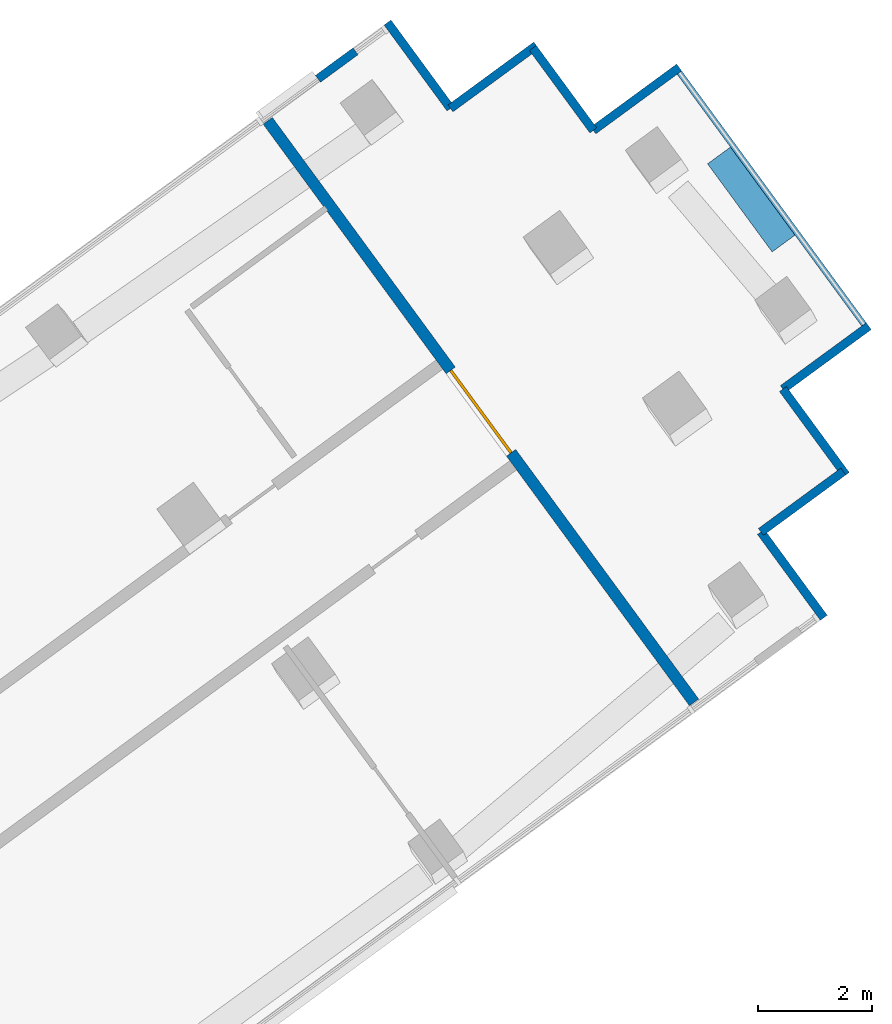
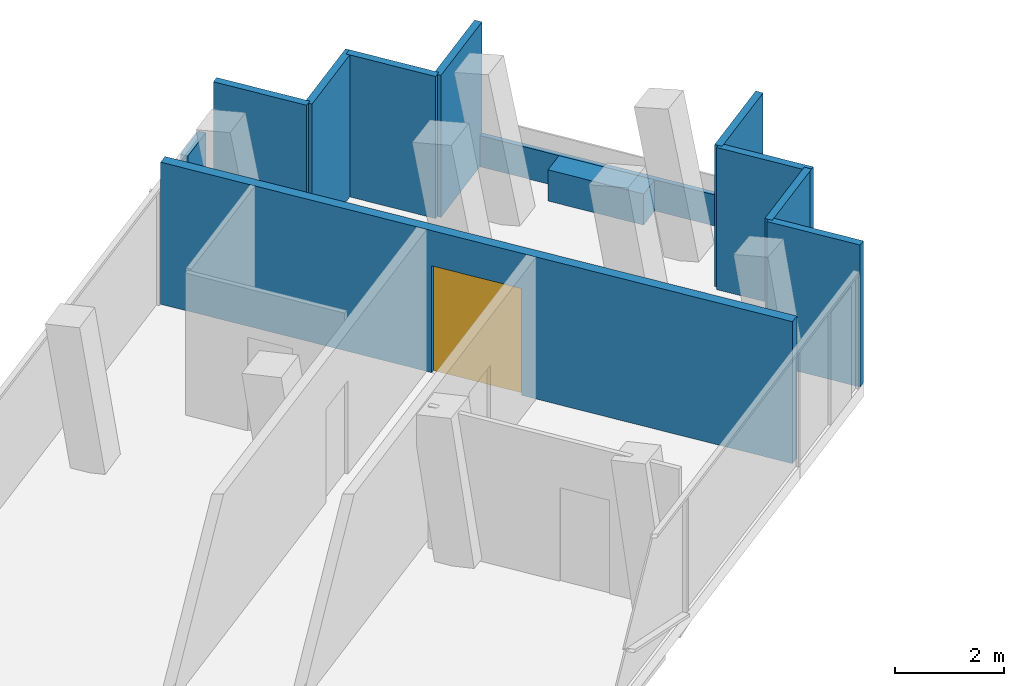
# One storey, part 21 of 24: 12 walls, 1 door, 1 opening.
"""IFC4 building model written with IfcOpenShell, lengths in metres."""

from ifc_helpers import new_model, si_unit, direction, frame, frame_2d, origin, place, context, subcontext, project, spatial, rectangle, extrude, material, layer, layer_set, type_object, element, fill, save


model = new_model("IFC4")

# Units and contexts
model_context = context("Model", 3, precision=1e-05, world=origin(), true_north=direction((0.0, 1.0)))
body_context = subcontext(model_context, "Body", "Model", "MODEL_VIEW")
ifc_project = project(units=[si_unit("LENGTHUNIT", "METRE"), si_unit("AREAUNIT", "SQUARE_METRE"), si_unit("VOLUMEUNIT", "CUBIC_METRE"), si_unit("PLANEANGLEUNIT", "RADIAN"), si_unit("MASSUNIT", "GRAM", prefix="KILO")], contexts=[model_context])

# Site, building, storey
site_placement = place(None, origin())
site = spatial("IfcSite", under=ifc_project, at=site_placement, CompositionType="ELEMENT")
building_placement = place(site_placement, origin())
building = spatial("IfcBuilding", under=site, at=building_placement, Name="Verdalira Terraces Hotel", CompositionType="ELEMENT")
storey_placement = place(building_placement, frame((0.0, 0.0, 303.0)))
storey = spatial("IfcBuildingStorey", under=building, at=storey_placement, Name="L75", CompositionType="ELEMENT", Elevation=303.0)

# Wall, opening, door
ifc_material_1 = material(Name="Terracotta cladding", Category="masonry")
ifc_layer_1 = layer(ifc_material_1, 0.199951171875)
ifc_layer_set_1 = layer_set([ifc_layer_1], Name="Loggia back wall 200")
wall_type_1 = type_object("IfcWallType", Name="Loggia back wall 200", PredefinedType="SOLIDWALL", material=ifc_layer_set_1)
wall_1_placement = place(storey_placement, frame((26.494385, 27.29248, 0.0), z_axis=(0.0, 0.0, 1.0), x_axis=(0.59117947, -0.806540039, 0.0)))
wall_1 = element("IfcWall", 1, at=wall_1_placement, inside=storey, type_object=wall_type_1, Name="Loggia back wall", PredefinedType="SOLIDWALL", context=body_context, shape_type="SweptSolid", body=[
    extrude(rectangle(XDim=12.700195, YDim=0.199951, at=frame_2d((6.350098, 0.0))), origin(), (0.0, 0.0, 1.0), 3.189941),
])
opening_placement = place(wall_1_placement, frame((5.449951, 0.0, 0.0)))
opening = element("IfcOpeningElement", 2, at=opening_placement, cuts=wall_1, Name="Opening L75-L01", PredefinedType="OPENING", context=body_context, shape_type="SweptSolid", body=[
    extrude(rectangle(XDim=1.800049, YDim=2.399902, at=frame_2d((0.899902, 1.199951))), frame((0.0, 0.109863, 0.0), z_axis=(0.0, -1.0, 0.0), x_axis=(1.0, 0.0, 0.0)), (0.0, 0.0, 1.0), 0.219971),
])
ifc_material_2 = material(Name="Clear glass", Category="glass")
door_type = type_object("IfcDoorType", Name="Garden double door 1800x2400", OperationType="NOTDEFINED", PredefinedType="DOOR", material=ifc_material_2)
door_placement = place(opening_placement, origin())
door = element("IfcDoor", 3, at=door_placement, inside=storey, type_object=door_type, Name="Loggia double door", OperationType="DOUBLE_DOOR_SINGLE_SWING", OverallHeight=2.39990234375, OverallWidth=1.800048828125, PredefinedType="DOOR", context=body_context, shape_type="SweptSolid", body=[
    extrude(rectangle(XDim=1.800049, YDim=2.399902, at=frame_2d((0.899902, 1.199951))), frame((0.0, 0.024902, 0.0), z_axis=(0.0, -1.0, 0.0), x_axis=(1.0, 0.0, 0.0)), (0.0, 0.0, 1.0), 0.050049),
])
fill(opening, door)

# Walls
ifc_material_3 = material(Name="Concrete C40", Category="concrete")
ifc_layer_2 = layer(ifc_material_3, 0.5)
ifc_layer_set_2 = layer_set([ifc_layer_2], Name="Loggia planter trough with tree")
wall_type_2 = type_object("IfcWallType", Name="Loggia planter trough with tree", PredefinedType="SOLIDWALL", material=ifc_layer_set_2)
wall_2_placement = place(storey_placement, frame((35.57959, 25.131348, 0.0), z_axis=(0.0, 0.0, 1.0), x_axis=(-0.591110564, 0.806590541, 0.0)))
element("IfcWall", 4, at=wall_2_placement, inside=storey, type_object=wall_type_2, Name="Loggia planter", PredefinedType="SOLIDWALL", context=body_context, shape_type="SweptSolid", body=[
    extrude(rectangle(XDim=1.923828, YDim=0.5, at=frame_2d((0.961914, 0.0))), origin(), (0.0, 0.0, 1.0), 0.699951),
])
ifc_material_4 = material(Name="Concrete C40", Category="concrete")
ifc_layer_3 = layer(ifc_material_4, 0.10009765625)
ifc_layer_set_3 = layer_set([ifc_layer_3], Name="Loggia upstand 100")
wall_type_3 = type_object("IfcWallType", Name="Loggia upstand 100", PredefinedType="SOLIDWALL", material=ifc_layer_set_3)
wall_3_placement = place(storey_placement, frame((36.995605, 23.706787, 0.0), z_axis=(0.0, 0.0, 1.0), x_axis=(-0.591142333, 0.806567259, 0.0)))
element("IfcWall", 5, at=wall_3_placement, inside=storey, type_object=wall_type_3, Name="Loggia upstand", PredefinedType="SOLIDWALL", context=body_context, shape_type="SweptSolid", body=[
    extrude(rectangle(XDim=5.5, YDim=0.100098, at=frame_2d((2.75, 0.0))), origin(), (0.0, 0.0, 1.0), 0.699951),
])
ifc_material_5 = material(Name="Terracotta cladding", Category="masonry")
ifc_layer_4 = layer(ifc_material_5, 0.14990234375)
ifc_layer_set_4 = layer_set([ifc_layer_4], Name="Terracotta clad wall 150")
wall_type_4 = type_object("IfcWallType", Name="Terracotta clad wall 150", PredefinedType="SOLIDWALL", material=ifc_layer_set_4)
wall_4_placement = place(storey_placement, frame((36.288818, 18.539307, 0.0), z_axis=(0.0, 0.0, 1.0), x_axis=(-0.591171713, 0.806545725, 0.0)))
element("IfcWall", 6, at=wall_4_placement, inside=storey, type_object=wall_type_4, Name="Terracotta cladding wall", PredefinedType="SOLIDWALL", context=body_context, shape_type="SweptSolid", body=[
    extrude(rectangle(XDim=1.875, YDim=0.149902, at=frame_2d((0.9375, 0.0))), origin(), (0.0, 0.0, 1.0), 3.189941),
])
wall_5_placement = place(storey_placement, frame((35.18042, 20.051514, 0.0), z_axis=(0.0, 0.0, 1.0), x_axis=(0.806542948, 0.591175502, 0.0)))
element("IfcWall", 7, at=wall_5_placement, inside=storey, type_object=wall_type_4, Name="Terracotta cladding wall", PredefinedType="SOLIDWALL", context=body_context, shape_type="SweptSolid", body=[
    extrude(rectangle(XDim=1.800049, YDim=0.149902, at=frame_2d((0.899902, 0.0))), origin(), (0.0, 0.0, 1.0), 3.189941),
])
for number, where, z_axis, x_axis, name in (
    (8, (36.676514, 21.055176, 0.0), (0.0, 0.0, 1.0), (-0.591171713, 0.806545725, 0.0), "Terracotta cladding wall"),
    (9, (35.568115, 22.567383, 0.0), (0.0, 0.0, 1.0), (0.806483638, 0.591256409, 0.0), "Terracotta cladding wall"),
    (10, (33.740234, 28.23291, 0.0), (0.0, 0.0, 1.0), (-0.806545725, -0.591171713, 0.0), "Terracotta cladding wall"),
):
    element("IfcWall", number, at=place(storey_placement, frame(where, z_axis=z_axis, x_axis=x_axis)), inside=storey, type_object=wall_type_4, Name=name, PredefinedType="SOLIDWALL", context=body_context, shape_type="SweptSolid", body=[
        extrude(rectangle(XDim=1.875, YDim=0.149902, at=frame_2d((0.9375, 0.0))), origin(), (0.0, 0.0, 1.0), 3.189941),
    ])
wall_6_placement = place(storey_placement, frame((32.228027, 27.124512, 0.0), z_axis=(0.0, 0.0, 1.0), x_axis=(-0.591240172, 0.806495542, 0.0)))
element("IfcWall", 11, at=wall_6_placement, inside=storey, type_object=wall_type_4, Name="Terracotta cladding wall", PredefinedType="SOLIDWALL", context=body_context, shape_type="SweptSolid", body=[
    extrude(rectangle(XDim=1.800049, YDim=0.149902, at=frame_2d((0.899902, 0.0))), origin(), (0.0, 0.0, 1.0), 3.189941),
])
for number, where, z_axis, x_axis, name in (
    (12, (31.224365, 28.620605, 0.0), (0.0, 0.0, 1.0), (-0.806545725, -0.591171713, 0.0), "Terracotta cladding wall"),
    (13, (29.712158, 27.512207, 0.0), (0.0, 0.0, 1.0), (-0.591171713, 0.806545725, 0.0), "Terracotta cladding wall"),
):
    element("IfcWall", number, at=place(storey_placement, frame(where, z_axis=z_axis, x_axis=x_axis)), inside=storey, type_object=wall_type_4, Name=name, PredefinedType="SOLIDWALL", context=body_context, shape_type="SweptSolid", body=[
        extrude(rectangle(XDim=1.875, YDim=0.149902, at=frame_2d((0.9375, 0.0))), origin(), (0.0, 0.0, 1.0), 3.189941),
    ])
ifc_material_6 = material(Name="Terracotta cladding", Category="masonry")
ifc_layer_5 = layer(ifc_material_6, 0.14990234375)
ifc_layer_set_5 = layer_set([ifc_layer_5], Name="Terracotta column pier 150")
wall_type_5 = type_object("IfcWallType", Name="Terracotta column pier 150", PredefinedType="SOLIDWALL", material=ifc_layer_set_5)
wall_7_placement = place(storey_placement, frame((28.039062, 28.517578, 0.0), z_axis=(0.0, 0.0, 1.0), x_axis=(-0.806670083, -0.591002011, 0.0)))
element("IfcWall", 14, at=wall_7_placement, inside=storey, type_object=wall_type_5, Name="Terracotta column pier", PredefinedType="SOLIDWALL", context=body_context, shape_type="SweptSolid", body=[
    extrude(rectangle(XDim=0.81958, YDim=0.149902, at=frame_2d((0.409668, 0.0))), origin(), (0.0, 0.0, 1.0), 2.524902),
])

save(model, "model.ifc")
